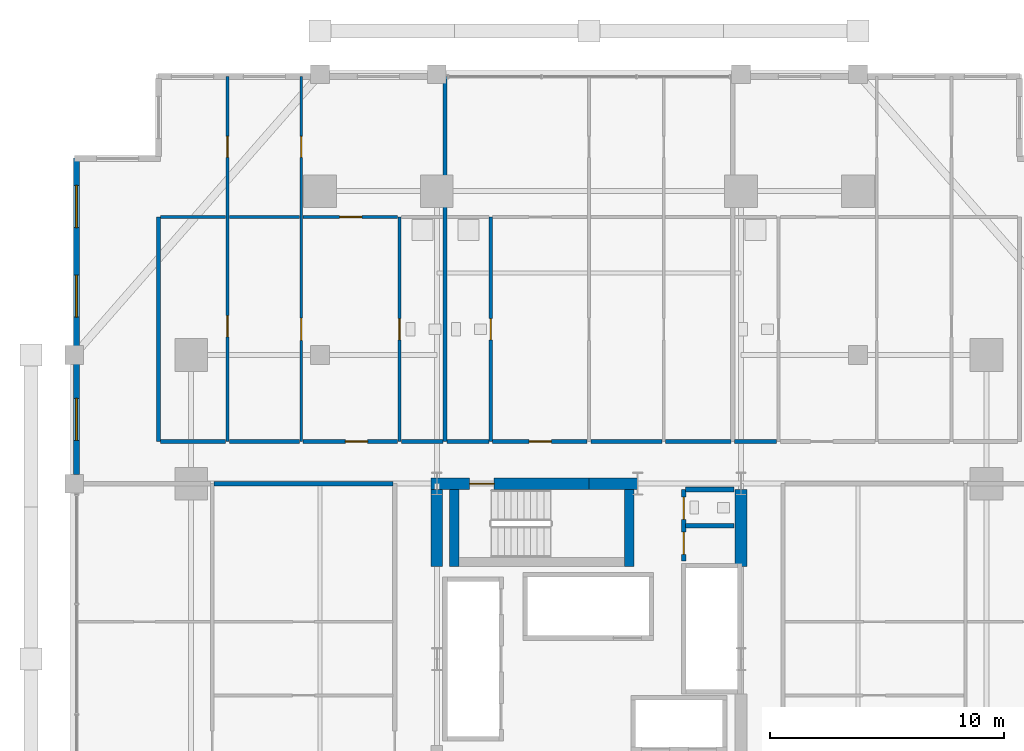
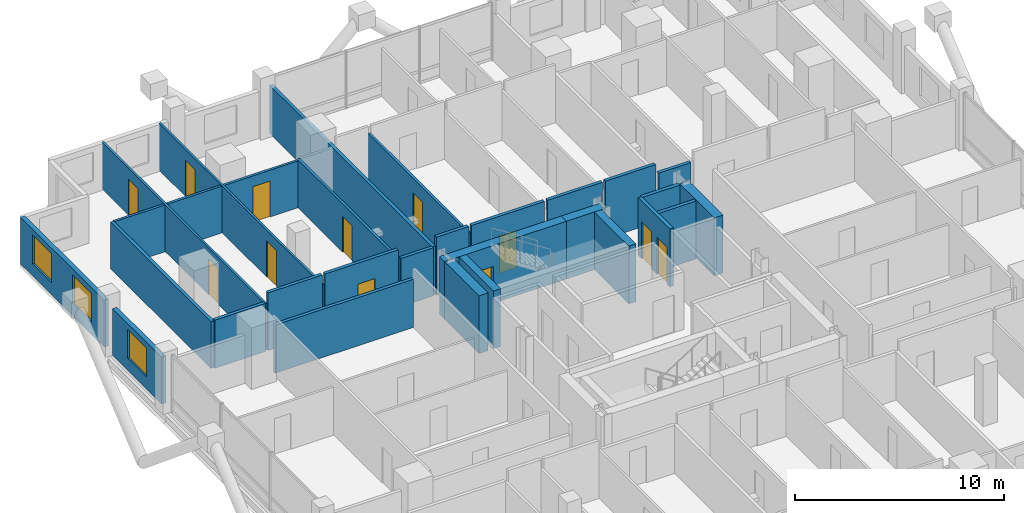
# One storey, part 20 of 24: 30 walls, 12 doors, 3 windows, 15 openings.
"""IFC4 building model written with IfcOpenShell, lengths in metres."""

import ifcopenshell
import ifcopenshell.guid

model = None  # the IFC model being written
_history = None  # IfcOwnerHistory: only IFC2X3 demands one
_inside = {}  # id of a spatial element -> (the spatial element, [elements in it])
_under = {}  # id of a project, library or spatial element -> (it, [spatial elements below it])
_declared = {}  # id of a project -> (the project, [libraries it declares])
_typed = {}  # id of a type object -> (the type object, [elements of that type])
_made_of = {}  # id of a material, layer set ... -> (it, [elements and type objects made of it])


def new_model(schema):
    """Start an empty IFC model of exactly this schema.

    Asked for "IFC4X3", IfcOpenShell would pick the latest addendum, in which some entities
    have other attributes; the version numbers below select the first issue.
    IFC2X3 requires an IfcOwnerHistory on every rooted entity: one is made here for all.
    """
    global model, _history
    if schema == "IFC4X3":
        model = ifcopenshell.file(schema_version=(4, 3, 0, 0))
    else:
        model = ifcopenshell.file(schema=schema)
    _inside.clear()
    _under.clear()
    _declared.clear()
    _typed.clear()
    _made_of.clear()
    _history = None
    if model.schema == "IFC2X3":
        org = make("IfcOrganization", Name="unknown")
        user = make(
            "IfcPersonAndOrganization",
            ThePerson=make("IfcPerson", FamilyName="unknown"),
            TheOrganization=org,
        )
        app = make(
            "IfcApplication",
            ApplicationDeveloper=org,
            Version="unknown",
            ApplicationFullName="unknown",
            ApplicationIdentifier="unknown",
        )
        _history = make(
            "IfcOwnerHistory",
            OwningUser=user,
            OwningApplication=app,
            ChangeAction="ADDED",
            CreationDate=0,
        )
    return model


def make(cls, **values):
    """One entity of the class cls with the attributes given. An attribute that is None is left unset."""
    return model.create_entity(
        cls, **{name: value for name, value in values.items() if value is not None}
    )


def rooted(cls, **values):
    """An entity with a GlobalId (a new one), such as an element, a storey or a relation."""
    return make(cls, GlobalId=ifcopenshell.guid.new(), OwnerHistory=_history, **values)


def si_unit(unit_type, name, prefix=None):
    """IfcSIUnit, for example si_unit("LENGTHUNIT", "METRE", prefix="MILLI")."""
    return make("IfcSIUnit", UnitType=unit_type, Prefix=prefix, Name=name)


def assignment(units):
    """IfcUnitAssignment: the units of a project."""
    return None if units is None else make("IfcUnitAssignment", Units=units)


def point(xyz):
    """IfcCartesianPoint."""
    return None if xyz is None else make("IfcCartesianPoint", Coordinates=xyz)


def direction(xyz):
    """IfcDirection."""
    return None if xyz is None else make("IfcDirection", DirectionRatios=xyz)


def frame(location, z_axis=None, x_axis=None):
    """IfcAxis2Placement3D, a coordinate frame: its origin and axes. An axis left out is left unset."""
    return make(
        "IfcAxis2Placement3D",
        Location=point(location),
        Axis=direction(z_axis),
        RefDirection=direction(x_axis),
    )


def frame_2d(location, x_axis=None):
    """IfcAxis2Placement2D, a coordinate frame in the plane: its origin and x axis."""
    return make(
        "IfcAxis2Placement2D", Location=point(location), RefDirection=direction(x_axis)
    )


def origin():
    """The frame at (0, 0, 0) with its axes left unset."""
    return frame((0.0, 0.0, 0.0))


def place(relative_to, where):
    """IfcLocalPlacement: puts the frame where relative to a parent placement (None: the world)."""
    return make(
        "IfcLocalPlacement", PlacementRelTo=relative_to, RelativePlacement=where
    )


def context(
    kind, dimensions, precision=None, world=None, true_north=None, identifier=None
):
    """IfcGeometricRepresentationContext, for example the 3D "Model" context."""
    return make(
        "IfcGeometricRepresentationContext",
        ContextIdentifier=identifier,
        ContextType=kind,
        CoordinateSpaceDimension=dimensions,
        Precision=precision,
        WorldCoordinateSystem=world,
        TrueNorth=true_north,
    )


def subcontext(parent, identifier, kind, view, scale=None):
    """IfcGeometricRepresentationSubContext, for example "Body" below "Model"."""
    return make(
        "IfcGeometricRepresentationSubContext",
        ContextIdentifier=identifier,
        ContextType=kind,
        ParentContext=parent,
        TargetScale=scale,
        TargetView=view,
    )


def project(units=None, contexts=None):
    """IfcProject with its units and contexts."""
    return rooted(
        "IfcProject",
        Name="project",
        RepresentationContexts=contexts,
        UnitsInContext=assignment(units),
    )


def spatial(cls, under=None, at=None, **own):
    """A site, building, storey or space (cls), placed at a placement, below another one or the project."""
    s = rooted(cls, ObjectPlacement=at, **own)
    if under is not None:
        _under.setdefault(under.id(), (under, []))[1].append(s)
    return s


def profile(cls, at=None, kind="AREA", **sizes):
    """A parametric profile (cls). Its sizes go by their IFC names, for example OverallWidth=200.0."""
    return make(cls, ProfileType=kind, Position=at, **sizes)


def rectangle(**sizes):
    """IfcRectangleProfileDef."""
    return profile("IfcRectangleProfileDef", **sizes)


def extrude(swept, where, along, depth):
    """IfcExtrudedAreaSolid: the profile swept, set in the frame where, extruded along a direction by depth."""
    return make(
        "IfcExtrudedAreaSolid",
        SweptArea=swept,
        Position=where,
        ExtrudedDirection=direction(along),
        Depth=depth,
    )


def shape(context_of_items, identifier, shape_type, items):
    """IfcShapeRepresentation: the items that make up one representation, for example the "Body"."""
    return make(
        "IfcShapeRepresentation",
        ContextOfItems=context_of_items,
        RepresentationIdentifier=identifier,
        RepresentationType=shape_type,
        Items=items,
    )


def material(Name=None, Category=None):
    """IfcMaterial."""
    return make("IfcMaterial", Name=Name, Category=Category)


def layer(
    of_material, thickness, ventilated=None, Name=None, Category=None, Priority=None
):
    """IfcMaterialLayer: one layer of a wall or slab, of a material (None: an air gap)."""
    return make(
        "IfcMaterialLayer",
        Material=of_material,
        LayerThickness=thickness,
        IsVentilated=ventilated,
        Name=Name,
        Category=Category,
        Priority=Priority,
    )


def layer_set(layers, Name=None):
    """IfcMaterialLayerSet."""
    return make("IfcMaterialLayerSet", MaterialLayers=layers, LayerSetName=Name)


def made_of(thing, what):
    """Note that an element or type object is made of a material, layer set ...; save() writes the relation."""
    if what is not None:
        _made_of.setdefault(what.id(), (what, []))[1].append(thing)
    return thing


def type_object(cls, material=None, **own):
    """A type object (cls), such as IfcWallType, which elements share."""
    return made_of(rooted(cls, **own), material)


def element(
    cls,
    number,
    at=None,
    inside=None,
    cuts=None,
    type_object=None,
    material=None,
    context=None,
    identifier="Body",
    shape_type=None,
    held_by="IfcProductDefinitionShape",
    body=None,
    shapes=None,
    **own,
):
    """One element of the class cls, such as IfcWall. Its Tag is "e" and its number.

    at: its placement. inside: the storey or other place that contains it. cuts: it is an
    opening in that element (IfcRelVoidsElement). A single representation is given by context,
    identifier, shape_type and body (its items); several are given by shapes. held_by: the class
    of the entity that holds the representations. save() writes the other relations.
    """
    e = rooted(cls, Tag="e%d" % number, ObjectPlacement=at, **own)
    if body is not None:
        shapes = [shape(context, identifier, shape_type, body)]
    if shapes is not None:
        e.Representation = make(held_by, Representations=shapes)
    if inside is not None:
        _inside.setdefault(inside.id(), (inside, []))[1].append(e)
    if cuts is not None:
        rooted(
            "IfcRelVoidsElement", RelatingBuildingElement=cuts, RelatedOpeningElement=e
        )
    if type_object is not None:
        _typed.setdefault(type_object.id(), (type_object, []))[1].append(e)
    return made_of(e, material)


def fill(opening, filler):
    """IfcRelFillsElement: the door or window that sits in an opening."""
    return rooted(
        "IfcRelFillsElement",
        RelatingOpeningElement=opening,
        RelatedBuildingElement=filler,
    )


def aggregate(whole, parts):
    """IfcRelAggregates: a whole, such as a stair, and the parts it consists of."""
    return rooted("IfcRelAggregates", RelatingObject=whole, RelatedObjects=parts)


def save(model, path):
    """Write the relations noted so far, then the file.

    IfcRelAggregates (storeys below a building ...), IfcRelContainedInSpatialStructure (elements
    in a storey), IfcRelDefinesByType, IfcRelAssociatesMaterial and IfcRelDeclares: one each for
    every whole, place, type object, material and project.
    """
    for whole, parts in _under.values():
        aggregate(whole, parts)
    for where, things in _inside.values():
        rooted(
            "IfcRelContainedInSpatialStructure",
            RelatedElements=things,
            RelatingStructure=where,
        )
    for kind, things in _typed.values():
        rooted("IfcRelDefinesByType", RelatedObjects=things, RelatingType=kind)
    for what, things in _made_of.values():
        rooted("IfcRelAssociatesMaterial", RelatedObjects=things, RelatingMaterial=what)
    for by, libraries in _declared.values():
        rooted("IfcRelDeclares", RelatingContext=by, RelatedDefinitions=libraries)
    model.write(path)


model = new_model("IFC4")

# Units and contexts
model_context = context("Model", 3, precision=1e-05, world=origin(), true_north=direction((0.0, 1.0)))
body_context = subcontext(model_context, "Body", "Model", "MODEL_VIEW")
ifc_project = project(units=[si_unit("LENGTHUNIT", "METRE"), si_unit("AREAUNIT", "SQUARE_METRE"), si_unit("VOLUMEUNIT", "CUBIC_METRE"), si_unit("PLANEANGLEUNIT", "RADIAN"), si_unit("MASSUNIT", "GRAM", prefix="KILO")], contexts=[model_context])

# Site, building, storey
site_placement = place(None, origin())
site = spatial("IfcSite", under=ifc_project, at=site_placement, CompositionType="ELEMENT")
building_placement = place(site_placement, origin())
building = spatial("IfcBuilding", under=site, at=building_placement, Name="Barlavira Tower and Art Museum", CompositionType="ELEMENT")
storey_placement = place(building_placement, frame((0.0, 0.0, 46.800048828125)))
storey = spatial("IfcBuildingStorey", under=building, at=storey_placement, Name="L10", CompositionType="ELEMENT", Elevation=46.800048828125)

# Wall, openings, doors
ifc_material_1 = material(Name="Gypsum acoustic stud partition", Category="gypsum")
ifc_layer_1 = layer(ifc_material_1, 0.1201171875, Name="Gypsum acoustic stud partition")
ifc_layer_set_1 = layer_set([ifc_layer_1], Name="Gypsum acoustic stud partition")
wall_type_1 = type_object("IfcWallType", Name="Apartment Internal Acoustic Partition 120", PredefinedType="PARTITIONING", material=ifc_layer_set_1)
wall_1_placement = place(storey_placement, frame((-15.449951171875, 9.300048828125, 0.0), z_axis=(0.0, 0.0, 1.0), x_axis=(0.0, 1.0, 0.0)))
wall_1 = element("IfcWall", 1, at=wall_1_placement, inside=storey, type_object=wall_type_1, Name="L10 Partition Wall 4", PredefinedType="PARTITIONING", context=body_context, shape_type="SweptSolid", body=[
    extrude(rectangle(XDim=15.599853515625, YDim=0.1201171875, at=frame_2d((7.7998046875, 0.0))), origin(), (0.0, 0.0, 1.0), 2.73583984375),
])
opening_1_placement = place(wall_1_placement, frame((4.478271484375, 0.0, 0.0)))
opening_1 = element("IfcOpeningElement", 2, at=opening_1_placement, cuts=wall_1, Name="Opening D-01", PredefinedType="OPENING", context=body_context, shape_type="SweptSolid", body=[
    extrude(rectangle(XDim=0.89990234375, YDim=2.10009765625, at=frame_2d((0.449951171875, 1.050048828125))), frame((0.0, 0.070068359375, 0.0), z_axis=(0.0, -1.0, 0.0), x_axis=(1.0, 0.0, 0.0)), (0.0, 0.0, 1.0), 0.14013671875),
])
opening_2_placement = place(wall_1_placement, frame((12.14990234375, 0.0, 0.0)))
opening_2 = element("IfcOpeningElement", 3, at=opening_2_placement, cuts=wall_1, Name="Opening D-01", PredefinedType="OPENING", context=body_context, shape_type="SweptSolid", body=[
    extrude(rectangle(XDim=0.89990234375, YDim=2.10009765625, at=frame_2d((0.449951171875, 1.050048828125))), frame((0.0, 0.070068359375, 0.0), z_axis=(0.0, -1.0, 0.0), x_axis=(1.0, 0.0, 0.0)), (0.0, 0.0, 1.0), 0.14013671875),
])
ifc_material_2 = material(Name="Engineered coastal hardwood", Category="wood")
door_type_1 = type_object("IfcDoorType", Name="Internal Bedroom Timber Flush Door 900x2100", OperationType="NOTDEFINED", PredefinedType="DOOR", material=ifc_material_2)
door_1_placement = place(opening_1_placement, origin())
door_1 = element("IfcDoor", 4, at=door_1_placement, inside=storey, type_object=door_type_1, Name="Apartment N1 Walk-In Dressing Room Door", OperationType="SINGLE_SWING_LEFT", OverallHeight=2.10009765625, OverallWidth=0.89990234375, PredefinedType="DOOR", context=body_context, shape_type="SweptSolid", body=[
    extrude(rectangle(XDim=0.89990234375, YDim=2.10009765625, at=frame_2d((0.449951171875, 1.050048828125))), frame((0.0, 0.02490234375, 0.0), z_axis=(0.0, -1.0, 0.0), x_axis=(1.0, 0.0, 0.0)), (0.0, 0.0, 1.0), 0.050048828125),
])
fill(opening_1, door_1)
door_2_placement = place(opening_2_placement, origin())
door_2 = element("IfcDoor", 5, at=door_2_placement, inside=storey, type_object=door_type_1, Name="Apartment N1 Sunroom Lounge 2 Door", OperationType="SINGLE_SWING_RIGHT", OverallHeight=2.10009765625, OverallWidth=0.89990234375, PredefinedType="DOOR", context=body_context, shape_type="SweptSolid", body=[
    extrude(rectangle(XDim=0.89990234375, YDim=2.10009765625, at=frame_2d((0.449951171875, 1.050048828125))), frame((0.0, 0.02490234375, 0.0), z_axis=(0.0, -1.0, 0.0), x_axis=(1.0, 0.0, 0.0)), (0.0, 0.0, 1.0), 0.050048828125),
])
fill(opening_2, door_2)

wall_2_placement = place(storey_placement, frame((-12.300048828125, 9.300048828125, 0.0), z_axis=(0.0, 0.0, 1.0), x_axis=(0.0, 1.0, 0.0)))
wall_2 = element("IfcWall", 6, at=wall_2_placement, inside=storey, type_object=wall_type_1, Name="L10 Partition Wall 6", PredefinedType="PARTITIONING", context=body_context, shape_type="SweptSolid", body=[
    extrude(rectangle(XDim=15.599853515625, YDim=0.1201171875, at=frame_2d((7.7998046875, 0.0))), origin(), (0.0, 0.0, 1.0), 2.73583984375),
])
opening_3_placement = place(wall_2_placement, frame((4.324951171875, 0.0, 0.0)))
opening_3 = element("IfcOpeningElement", 7, at=opening_3_placement, cuts=wall_2, Name="Opening D-02", PredefinedType="OPENING", context=body_context, shape_type="SweptSolid", body=[
    extrude(rectangle(XDim=0.949951171875, YDim=2.10009765625, at=frame_2d((0.47509765625, 1.050048828125))), frame((0.0, 0.070068359375, 0.0), z_axis=(0.0, -1.0, 0.0), x_axis=(1.0, 0.0, 0.0)), (0.0, 0.0, 1.0), 0.14013671875),
])
opening_4_placement = place(wall_2_placement, frame((12.14990234375, 0.0, 0.0)))
opening_4 = element("IfcOpeningElement", 8, at=opening_4_placement, cuts=wall_2, Name="Opening D-01", PredefinedType="OPENING", context=body_context, shape_type="SweptSolid", body=[
    extrude(rectangle(XDim=0.89990234375, YDim=2.10009765625, at=frame_2d((0.449951171875, 1.050048828125))), frame((0.0, 0.070068359375, 0.0), z_axis=(0.0, -1.0, 0.0), x_axis=(1.0, 0.0, 0.0)), (0.0, 0.0, 1.0), 0.14013671875),
])
door_3_placement = place(opening_4_placement, origin())
door_3 = element("IfcDoor", 9, at=door_3_placement, inside=storey, type_object=door_type_1, Name="Apartment N1 Bedroom 1 Door", OperationType="SINGLE_SWING_LEFT", OverallHeight=2.10009765625, OverallWidth=0.89990234375, PredefinedType="DOOR", context=body_context, shape_type="SweptSolid", body=[
    extrude(rectangle(XDim=0.89990234375, YDim=2.10009765625, at=frame_2d((0.449951171875, 1.050048828125))), frame((0.0, 0.02490234375, 0.0), z_axis=(0.0, -1.0, 0.0), x_axis=(1.0, 0.0, 0.0)), (0.0, 0.0, 1.0), 0.050048828125),
])
fill(opening_4, door_3)
door_type_2 = type_object("IfcDoorType", Name="Living and Salon Glazed-Leaf Door 950x2100", OperationType="NOTDEFINED", PredefinedType="DOOR", material=ifc_material_2)
door_4_placement = place(opening_3_placement, origin())
door_4 = element("IfcDoor", 10, at=door_4_placement, inside=storey, type_object=door_type_2, Name="Apartment N1 Kitchen Door", OperationType="SINGLE_SWING_RIGHT", OverallHeight=2.10009765625, OverallWidth=0.949951171875, PredefinedType="DOOR", context=body_context, shape_type="SweptSolid", body=[
    extrude(rectangle(XDim=0.949951171875, YDim=2.10009765625, at=frame_2d((0.47509765625, 1.050048828125))), frame((0.0, 0.02490234375, 0.0), z_axis=(0.0, -1.0, 0.0), x_axis=(1.0, 0.0, 0.0)), (0.0, 0.0, 1.0), 0.050048828125),
])
fill(opening_3, door_4)

# Wall, opening, door
ifc_material_3 = material(Name="Concrete C60", Category="concrete")
ifc_layer_2 = layer(ifc_material_3, 0.5, Name="Concrete C60")
ifc_layer_set_2 = layer_set([ifc_layer_2], Name="Concrete C60")
wall_type_2 = type_object("IfcWallType", Name="Core Structural Shear Wall 500 Concrete C60", PredefinedType="SHEAR", material=ifc_layer_set_2)
wall_3_placement = place(storey_placement, frame((-6.75, 7.5, 0.0), z_axis=(0.0, 0.0, 1.0), x_axis=(1.0, 0.0, 0.0)))
wall_3 = element("IfcWall", 11, at=wall_3_placement, inside=storey, type_object=wall_type_2, Name="L10 Core Shear Wall CS-NW", PredefinedType="SHEAR", context=body_context, shape_type="SweptSolid", body=[
    extrude(rectangle(XDim=6.75, YDim=0.5, at=frame_2d((3.375, 0.0))), origin(), (0.0, 0.0, 1.0), 3.3798828125),
])
opening_5_placement = place(wall_3_placement, frame((1.64990234375, 0.0, 0.0)))
opening_5 = element("IfcOpeningElement", 12, at=opening_5_placement, cuts=wall_3, Name="Opening FD-90", PredefinedType="OPENING", context=body_context, shape_type="SweptSolid", body=[
    extrude(rectangle(XDim=1.050048828125, YDim=2.14990234375, at=frame_2d((0.52490234375, 1.074951171875))), frame((0.0, 0.260009765625, 0.0), z_axis=(0.0, -1.0, 0.0), x_axis=(1.0, 0.0, 0.0)), (0.0, 0.0, 1.0), 0.52001953125),
])
ifc_material_4 = material(Name="Brushed stainless steel", Category="steel")
door_type_3 = type_object("IfcDoorType", Name="Stair and Refuge Fire Door 1050x2150 FD90S", OperationType="NOTDEFINED", PredefinedType="DOOR", material=ifc_material_4)
door_5_placement = place(opening_5_placement, origin())
door_5 = element("IfcDoor", 13, at=door_5_placement, inside=storey, type_object=door_type_3, Name="L10 Stair ST-T2 Fire Door", OperationType="SINGLE_SWING_LEFT", OverallHeight=2.14990234375, OverallWidth=1.050048828125, PredefinedType="DOOR", context=body_context, shape_type="SweptSolid", body=[
    extrude(rectangle(XDim=1.050048828125, YDim=2.14990234375, at=frame_2d((0.52490234375, 1.074951171875))), frame((0.0, 0.02490234375, 0.0), z_axis=(0.0, -1.0, 0.0), x_axis=(1.0, 0.0, 0.0)), (0.0, 0.0, 1.0), 0.050048828125),
])
fill(opening_5, door_5)

# Walls
wall_4_placement = place(storey_placement, frame((0.0, 7.5, 0.0), z_axis=(0.0, 0.0, 1.0), x_axis=(1.0, 0.0, 0.0)))
element("IfcWall", 14, at=wall_4_placement, inside=storey, type_object=wall_type_2, Name="L10 Core Shear Wall CS-EN", PredefinedType="SHEAR", context=body_context, shape_type="SweptSolid", body=[
    extrude(rectangle(XDim=2.080078125, YDim=0.5, at=frame_2d((1.0400390625, 0.0))), origin(), (0.0, 0.0, 1.0), 3.3798828125),
])
for number, where, z_axis, x_axis, name in (
    (15, (-6.5, 3.949951171875, 0.0), (0.0, 0.0, 1.0), (0.0, 1.0, 0.0), "L10 Core Shear Wall CS-W2"),
    (16, (6.5, 3.949951171875, 0.0), (0.0, 0.0, 1.0), (0.0, 1.0, 0.0), "L10 Core Shear Wall CS-E2"),
):
    element("IfcWall", number, at=place(storey_placement, frame(where, z_axis=z_axis, x_axis=x_axis)), inside=storey, type_object=wall_type_2, Name=name, PredefinedType="SHEAR", context=body_context, shape_type="SweptSolid", body=[
        extrude(rectangle(XDim=3.300048828125, YDim=0.5, at=frame_2d((1.64990234375, 0.0))), origin(), (0.0, 0.0, 1.0), 3.3798828125),
    ])

# Wall, openings, doors
ifc_material_5 = material(Name="Autoclaved aerated concrete masonry", Category="masonry")
ifc_layer_3 = layer(ifc_material_5, 0.199951171875, Name="Autoclaved aerated concrete masonry")
ifc_layer_set_3 = layer_set([ifc_layer_3], Name="Autoclaved aerated concrete masonry")
wall_type_3 = type_object("IfcWallType", Name="Fire Compartment and Shaft Wall 200", PredefinedType="SOLIDWALL", material=ifc_layer_set_3)
wall_5_placement = place(storey_placement, frame((4.050048828125, 4.199951171875, 0.0), z_axis=(0.0, 0.0, 1.0), x_axis=(0.0, 1.0, 0.0)))
wall_5 = element("IfcWall", 17, at=wall_5_placement, inside=storey, type_object=wall_type_3, Name="L10 Partition Wall 18", PredefinedType="SOLIDWALL", context=body_context, shape_type="SweptSolid", body=[
    extrude(rectangle(XDim=3.050048828125, YDim=0.199951171875, at=frame_2d((1.52490234375, 0.0))), origin(), (0.0, 0.0, 1.0), 3.3798828125),
])
opening_6_placement = place(wall_5_placement, frame((0.27490234375, 0.0, 0.0)))
opening_6 = element("IfcOpeningElement", 18, at=opening_6_placement, cuts=wall_5, Name="Opening FD-60", PredefinedType="OPENING", context=body_context, shape_type="SweptSolid", body=[
    extrude(rectangle(XDim=0.949951171875, YDim=2.14990234375, at=frame_2d((0.47509765625, 1.074951171875))), frame((0.0, 0.10986328125, 0.0), z_axis=(0.0, -1.0, 0.0), x_axis=(1.0, 0.0, 0.0)), (0.0, 0.0, 1.0), 0.219970703125),
])
opening_7_placement = place(wall_5_placement, frame((1.77490234375, 0.0, 0.0)))
opening_7 = element("IfcOpeningElement", 19, at=opening_7_placement, cuts=wall_5, Name="Opening FD-60", PredefinedType="OPENING", context=body_context, shape_type="SweptSolid", body=[
    extrude(rectangle(XDim=0.949951171875, YDim=2.14990234375, at=frame_2d((0.47509765625, 1.074951171875))), frame((0.0, 0.10986328125, 0.0), z_axis=(0.0, -1.0, 0.0), x_axis=(1.0, 0.0, 0.0)), (0.0, 0.0, 1.0), 0.219970703125),
])
door_type_4 = type_object("IfcDoorType", Name="Apartment Entrance and Riser Fire Door 950x2150 FD60S", OperationType="NOTDEFINED", PredefinedType="DOOR", material=ifc_material_4)
door_6_placement = place(opening_6_placement, origin())
door_6 = element("IfcDoor", 20, at=door_6_placement, inside=storey, type_object=door_type_4, Name="Electrical Switchgear Room Door", OperationType="SINGLE_SWING_RIGHT", OverallHeight=2.14990234375, OverallWidth=0.949951171875, PredefinedType="DOOR", context=body_context, shape_type="SweptSolid", body=[
    extrude(rectangle(XDim=0.949951171875, YDim=2.14990234375, at=frame_2d((0.47509765625, 1.074951171875))), frame((0.0, 0.02490234375, 0.0), z_axis=(0.0, -1.0, 0.0), x_axis=(1.0, 0.0, 0.0)), (0.0, 0.0, 1.0), 0.050048828125),
])
fill(opening_6, door_6)
door_7_placement = place(opening_7_placement, origin())
door_7 = element("IfcDoor", 21, at=door_7_placement, inside=storey, type_object=door_type_4, Name="Core Staff Toilet Door", OperationType="SINGLE_SWING_LEFT", OverallHeight=2.14990234375, OverallWidth=0.949951171875, PredefinedType="DOOR", context=body_context, shape_type="SweptSolid", body=[
    extrude(rectangle(XDim=0.949951171875, YDim=2.14990234375, at=frame_2d((0.47509765625, 1.074951171875))), frame((0.0, 0.02490234375, 0.0), z_axis=(0.0, -1.0, 0.0), x_axis=(1.0, 0.0, 0.0)), (0.0, 0.0, 1.0), 0.050048828125),
])
fill(opening_7, door_7)

# Walls
for number, where, z_axis, x_axis, name in (
    (22, (4.1298828125, 5.699951171875, 0.0), (0.0, 0.0, 1.0), (1.0, 0.0, 0.0), "L10 Partition Wall 67"),
    (23, (4.1298828125, 7.25, 0.0), (0.0, 0.0, 1.0), (1.0, 0.0, 0.0), "L10 Partition Wall 68"),
):
    element("IfcWall", number, at=place(storey_placement, frame(where, z_axis=z_axis, x_axis=x_axis)), inside=storey, type_object=wall_type_3, Name=name, PredefinedType="SOLIDWALL", context=body_context, shape_type="SweptSolid", body=[
        extrude(rectangle(XDim=2.070068359375, YDim=0.199951171875, at=frame_2d((1.03515625, 0.0))), origin(), (0.0, 0.0, 1.0), 3.3798828125),
    ])
ifc_layer_4 = layer(ifc_material_1, 0.179931640625, Name="Gypsum acoustic stud partition")
ifc_layer_set_4 = layer_set([ifc_layer_4], Name="Gypsum acoustic stud partition")
wall_type_4 = type_object("IfcWallType", Name="Inter-Tenancy Party Partition Wall 180", PredefinedType="PARTITIONING", material=ifc_layer_set_4)
wall_6_placement = place(storey_placement, frame((-18.39990234375, 9.300048828125, 0.0), z_axis=(0.0, 0.0, 1.0), x_axis=(0.0, 1.0, 0.0)))
element("IfcWall", 24, at=wall_6_placement, inside=storey, type_object=wall_type_4, Name="L10 Partition Wall 2", PredefinedType="PARTITIONING", context=body_context, shape_type="SweptSolid", body=[
    extrude(rectangle(XDim=9.599853515625, YDim=0.179931640625, at=frame_2d((4.7998046875, 0.0))), origin(), (0.0, 0.0, 1.0), 2.73583984375),
])
wall_7_placement = place(storey_placement, frame((-6.14990234375, 9.300048828125, 0.0), z_axis=(0.0, 0.0, 1.0), x_axis=(0.0, 1.0, 0.0)))
element("IfcWall", 25, at=wall_7_placement, inside=storey, type_object=wall_type_4, Name="L10 Partition Wall 11", PredefinedType="PARTITIONING", context=body_context, shape_type="SweptSolid", body=[
    extrude(rectangle(XDim=15.599853515625, YDim=0.179931640625, at=frame_2d((7.7998046875, 0.0))), origin(), (0.0, 0.0, 1.0), 2.81591796875),
])
wall_8_placement = place(storey_placement, frame((-16.02001953125, 7.5, 0.0), z_axis=(0.0, 0.0, 1.0), x_axis=(1.0, 0.0, 0.0)))
element("IfcWall", 26, at=wall_8_placement, inside=storey, type_object=wall_type_4, Name="L10 Partition Wall 70", PredefinedType="PARTITIONING", context=body_context, shape_type="SweptSolid", body=[
    extrude(rectangle(XDim=7.64013671875, YDim=0.179931640625, at=frame_2d((3.820068359375, 0.0))), origin(), (0.0, 0.0, 1.0), 2.81591796875),
])
wall_9_placement = place(storey_placement, frame((-18.320068359375, 9.300048828125, 0.0), z_axis=(0.0, 0.0, 1.0), x_axis=(1.0, 0.0, 0.0)))
element("IfcWall", 27, at=wall_9_placement, inside=storey, type_object=wall_type_4, Name="L10 Partition Wall 73", PredefinedType="PARTITIONING", context=body_context, shape_type="SweptSolid", body=[
    extrude(rectangle(XDim=2.7900390625, YDim=0.179931640625, at=frame_2d((1.39501953125, 0.0))), origin(), (0.0, 0.0, 1.0), 2.81591796875),
])
wall_10_placement = place(storey_placement, frame((-15.3701171875, 9.300048828125, 0.0), z_axis=(0.0, 0.0, 1.0), x_axis=(1.0, 0.0, 0.0)))
element("IfcWall", 28, at=wall_10_placement, inside=storey, type_object=wall_type_4, Name="L10 Partition Wall 74", PredefinedType="PARTITIONING", context=body_context, shape_type="SweptSolid", body=[
    extrude(rectangle(XDim=2.990234375, YDim=0.179931640625, at=frame_2d((1.4951171875, 0.0))), origin(), (0.0, 0.0, 1.0), 3.3798828125),
])

# Wall, opening, door
wall_11_placement = place(storey_placement, frame((-12.219970703125, 9.300048828125, 0.0), z_axis=(0.0, 0.0, 1.0), x_axis=(1.0, 0.0, 0.0)))
wall_11 = element("IfcWall", 29, at=wall_11_placement, inside=storey, type_object=wall_type_4, Name="L10 Partition Wall 75", PredefinedType="PARTITIONING", context=body_context, shape_type="SweptSolid", body=[
    extrude(rectangle(XDim=4.0400390625, YDim=0.179931640625, at=frame_2d((2.02001953125, 0.0))), origin(), (0.0, 0.0, 1.0), 3.3798828125),
])
opening_8_placement = place(wall_11_placement, frame((1.804931640625, 0.0, 0.0)))
opening_8 = element("IfcOpeningElement", 30, at=opening_8_placement, cuts=wall_11, Name="Opening FD-60", PredefinedType="OPENING", context=body_context, shape_type="SweptSolid", body=[
    extrude(rectangle(XDim=0.949951171875, YDim=2.14990234375, at=frame_2d((0.47509765625, 1.074951171875))), frame((0.0, 0.10009765625, 0.0), z_axis=(0.0, -1.0, 0.0), x_axis=(1.0, 0.0, 0.0)), (0.0, 0.0, 1.0), 0.199951171875),
])
door_8_placement = place(opening_8_placement, origin())
door_8 = element("IfcDoor", 31, at=door_8_placement, inside=storey, type_object=door_type_4, Name="Apartment Entrance Hall N1 Door", OperationType="SINGLE_SWING_LEFT", OverallHeight=2.14990234375, OverallWidth=0.949951171875, PredefinedType="DOOR", context=body_context, shape_type="SweptSolid", body=[
    extrude(rectangle(XDim=0.949951171875, YDim=2.14990234375, at=frame_2d((0.47509765625, 1.074951171875))), frame((0.0, 0.02490234375, 0.0), z_axis=(0.0, -1.0, 0.0), x_axis=(1.0, 0.0, 0.0)), (0.0, 0.0, 1.0), 0.050048828125),
])
fill(opening_8, door_8)

# Walls
wall_12_placement = place(storey_placement, frame((-8.02001953125, 9.300048828125, 0.0), z_axis=(0.0, 0.0, 1.0), x_axis=(1.0, 0.0, 0.0)))
element("IfcWall", 32, at=wall_12_placement, inside=storey, type_object=wall_type_4, Name="L10 Partition Wall 76", PredefinedType="PARTITIONING", context=body_context, shape_type="SweptSolid", body=[
    extrude(rectangle(XDim=1.7900390625, YDim=0.179931640625, at=frame_2d((0.89501953125, 0.0))), origin(), (0.0, 0.0, 1.0), 2.81591796875),
])
wall_13_placement = place(storey_placement, frame((-6.070068359375, 9.300048828125, 0.0), z_axis=(0.0, 0.0, 1.0), x_axis=(1.0, 0.0, 0.0)))
element("IfcWall", 33, at=wall_13_placement, inside=storey, type_object=wall_type_4, Name="L10 Partition Wall 77", PredefinedType="PARTITIONING", context=body_context, shape_type="SweptSolid", body=[
    extrude(rectangle(XDim=1.7900390625, YDim=0.179931640625, at=frame_2d((0.89501953125, 0.0))), origin(), (0.0, 0.0, 1.0), 3.3798828125),
])

# Wall, opening, door
wall_14_placement = place(storey_placement, frame((-4.1201171875, 9.300048828125, 0.0), z_axis=(0.0, 0.0, 1.0), x_axis=(1.0, 0.0, 0.0)))
wall_14 = element("IfcWall", 34, at=wall_14_placement, inside=storey, type_object=wall_type_4, Name="L10 Partition Wall 78", PredefinedType="PARTITIONING", context=body_context, shape_type="SweptSolid", body=[
    extrude(rectangle(XDim=4.0400390625, YDim=0.179931640625, at=frame_2d((2.02001953125, 0.0))), origin(), (0.0, 0.0, 1.0), 3.3798828125),
])
opening_9_placement = place(wall_14_placement, frame((1.56494140625, 0.0, 0.0)))
opening_9 = element("IfcOpeningElement", 35, at=opening_9_placement, cuts=wall_14, Name="Opening FD-60", PredefinedType="OPENING", context=body_context, shape_type="SweptSolid", body=[
    extrude(rectangle(XDim=0.949951171875, YDim=2.14990234375, at=frame_2d((0.47509765625, 1.074951171875))), frame((0.0, 0.10009765625, 0.0), z_axis=(0.0, -1.0, 0.0), x_axis=(1.0, 0.0, 0.0)), (0.0, 0.0, 1.0), 0.199951171875),
])
door_9_placement = place(opening_9_placement, origin())
door_9 = element("IfcDoor", 36, at=door_9_placement, inside=storey, type_object=door_type_4, Name="Apartment Entrance Hall N2 Door", OperationType="SINGLE_SWING_RIGHT", OverallHeight=2.14990234375, OverallWidth=0.949951171875, PredefinedType="DOOR", context=body_context, shape_type="SweptSolid", body=[
    extrude(rectangle(XDim=0.949951171875, YDim=2.14990234375, at=frame_2d((0.47509765625, 1.074951171875))), frame((0.0, 0.02490234375, 0.0), z_axis=(0.0, -1.0, 0.0), x_axis=(1.0, 0.0, 0.0)), (0.0, 0.0, 1.0), 0.050048828125),
])
fill(opening_9, door_9)

# Walls
wall_15_placement = place(storey_placement, frame((0.080078125, 9.300048828125, 0.0), z_axis=(0.0, 0.0, 1.0), x_axis=(1.0, 0.0, 0.0)))
element("IfcWall", 37, at=wall_15_placement, inside=storey, type_object=wall_type_4, Name="L10 Partition Wall 79", PredefinedType="PARTITIONING", context=body_context, shape_type="SweptSolid", body=[
    extrude(rectangle(XDim=3.0400390625, YDim=0.179931640625, at=frame_2d((1.52001953125, 0.0))), origin(), (0.0, 0.0, 1.0), 3.3798828125),
])
wall_16_placement = place(storey_placement, frame((3.280029296875, 9.300048828125, 0.0), z_axis=(0.0, 0.0, 1.0), x_axis=(1.0, 0.0, 0.0)))
element("IfcWall", 38, at=wall_16_placement, inside=storey, type_object=wall_type_4, Name="L10 Partition Wall 80", PredefinedType="PARTITIONING", context=body_context, shape_type="SweptSolid", body=[
    extrude(rectangle(XDim=2.7900390625, YDim=0.179931640625, at=frame_2d((1.39501953125, 0.0))), origin(), (0.0, 0.0, 1.0), 3.3798828125),
])
wall_17_placement = place(storey_placement, frame((6.22998046875, 9.300048828125, 0.0), z_axis=(0.0, 0.0, 1.0), x_axis=(1.0, 0.0, 0.0)))
element("IfcWall", 39, at=wall_17_placement, inside=storey, type_object=wall_type_4, Name="L10 Partition Wall 81", PredefinedType="PARTITIONING", context=body_context, shape_type="SweptSolid", body=[
    extrude(rectangle(XDim=1.7900390625, YDim=0.179931640625, at=frame_2d((0.89501953125, 0.0))), origin(), (0.0, 0.0, 1.0), 2.81591796875),
])

# Wall, opening, door
ifc_layer_5 = layer(ifc_material_1, 0.139892578125, Name="Gypsum acoustic stud partition")
ifc_layer_set_5 = layer_set([ifc_layer_5], Name="Gypsum acoustic stud partition")
wall_type_5 = type_object("IfcWallType", Name="Moisture-Resistant Bathroom Partition 140", PredefinedType="PARTITIONING", material=ifc_layer_set_5)
wall_18_placement = place(storey_placement, frame((-8.10009765625, 9.300048828125, 0.0), z_axis=(0.0, 0.0, 1.0), x_axis=(0.0, 1.0, 0.0)))
wall_18 = element("IfcWall", 40, at=wall_18_placement, inside=storey, type_object=wall_type_5, Name="L10 Partition Wall 9", PredefinedType="PARTITIONING", context=body_context, shape_type="SweptSolid", body=[
    extrude(rectangle(XDim=9.599853515625, YDim=0.139892578125, at=frame_2d((4.7998046875, 0.0))), origin(), (0.0, 0.0, 1.0), 2.81591796875),
])
opening_10_placement = place(wall_18_placement, frame((4.35009765625, 0.0, 0.0)))
opening_10 = element("IfcOpeningElement", 41, at=opening_10_placement, cuts=wall_18, Name="Opening D-WC", PredefinedType="OPENING", context=body_context, shape_type="SweptSolid", body=[
    extrude(rectangle(XDim=0.89990234375, YDim=2.10009765625, at=frame_2d((0.449951171875, 1.050048828125))), frame((0.0, 0.080078125, 0.0), z_axis=(0.0, -1.0, 0.0), x_axis=(1.0, 0.0, 0.0)), (0.0, 0.0, 1.0), 0.159912109375),
])
door_type_5 = type_object("IfcDoorType", Name="Accessible Bathroom Flush Door 900x2100", OperationType="NOTDEFINED", PredefinedType="DOOR", material=ifc_material_2)
door_10_placement = place(opening_10_placement, origin())
door_10 = element("IfcDoor", 42, at=door_10_placement, inside=storey, type_object=door_type_5, Name="Apartment N1 Hall Bathroom Door", OperationType="SINGLE_SWING_RIGHT", OverallHeight=2.10009765625, OverallWidth=0.89990234375, PredefinedType="DOOR", context=body_context, shape_type="SweptSolid", body=[
    extrude(rectangle(XDim=0.89990234375, YDim=2.10009765625, at=frame_2d((0.449951171875, 1.050048828125))), frame((0.0, 0.02490234375, 0.0), z_axis=(0.0, -1.0, 0.0), x_axis=(1.0, 0.0, 0.0)), (0.0, 0.0, 1.0), 0.050048828125),
])
fill(opening_10, door_10)

wall_19_placement = place(storey_placement, frame((-4.199951171875, 9.300048828125, 0.0), z_axis=(0.0, 0.0, 1.0), x_axis=(0.0, 1.0, 0.0)))
wall_19 = element("IfcWall", 43, at=wall_19_placement, inside=storey, type_object=wall_type_5, Name="L10 Partition Wall 12", PredefinedType="PARTITIONING", context=body_context, shape_type="SweptSolid", body=[
    extrude(rectangle(XDim=9.599853515625, YDim=0.139892578125, at=frame_2d((4.7998046875, 0.0))), origin(), (0.0, 0.0, 1.0), 2.947998046875),
])
opening_11_placement = place(wall_19_placement, frame((4.35009765625, 0.0, 0.0)))
opening_11 = element("IfcOpeningElement", 44, at=opening_11_placement, cuts=wall_19, Name="Opening D-WC", PredefinedType="OPENING", context=body_context, shape_type="SweptSolid", body=[
    extrude(rectangle(XDim=0.89990234375, YDim=2.10009765625, at=frame_2d((0.449951171875, 1.050048828125))), frame((0.0, 0.080078125, 0.0), z_axis=(0.0, -1.0, 0.0), x_axis=(1.0, 0.0, 0.0)), (0.0, 0.0, 1.0), 0.159912109375),
])
door_11_placement = place(opening_11_placement, origin())
door_11 = element("IfcDoor", 45, at=door_11_placement, inside=storey, type_object=door_type_5, Name="Apartment N2 Hall Bathroom Door", OperationType="SINGLE_SWING_LEFT", OverallHeight=2.10009765625, OverallWidth=0.89990234375, PredefinedType="DOOR", context=body_context, shape_type="SweptSolid", body=[
    extrude(rectangle(XDim=0.89990234375, YDim=2.10009765625, at=frame_2d((0.449951171875, 1.050048828125))), frame((0.0, 0.02490234375, 0.0), z_axis=(0.0, -1.0, 0.0), x_axis=(1.0, 0.0, 0.0)), (0.0, 0.0, 1.0), 0.050048828125),
])
fill(opening_11, door_11)

# Walls
wall_20_placement = place(storey_placement, frame((-18.320068359375, 18.89990234375, 0.0), z_axis=(0.0, 0.0, 1.0), x_axis=(1.0, 0.0, 0.0)))
element("IfcWall", 46, at=wall_20_placement, inside=storey, type_object=wall_type_5, Name="L10 Partition Wall 85", PredefinedType="PARTITIONING", context=body_context, shape_type="SweptSolid", body=[
    extrude(rectangle(XDim=2.7900390625, YDim=0.139892578125, at=frame_2d((1.39501953125, 0.0))), origin(), (0.0, 0.0, 1.0), 2.73583984375),
])
wall_21_placement = place(storey_placement, frame((-15.3701171875, 18.89990234375, 0.0), z_axis=(0.0, 0.0, 1.0), x_axis=(1.0, 0.0, 0.0)))
element("IfcWall", 47, at=wall_21_placement, inside=storey, type_object=wall_type_5, Name="L10 Partition Wall 86", PredefinedType="PARTITIONING", context=body_context, shape_type="SweptSolid", body=[
    extrude(rectangle(XDim=2.990234375, YDim=0.139892578125, at=frame_2d((1.4951171875, 0.0))), origin(), (0.0, 0.0, 1.0), 2.73583984375),
])

# Wall, opening, door
wall_22_placement = place(storey_placement, frame((-12.219970703125, 18.89990234375, 0.0), z_axis=(0.0, 0.0, 1.0), x_axis=(1.0, 0.0, 0.0)))
wall_22 = element("IfcWall", 48, at=wall_22_placement, inside=storey, type_object=wall_type_5, Name="L10 Partition Wall 87", PredefinedType="PARTITIONING", context=body_context, shape_type="SweptSolid", body=[
    extrude(rectangle(XDim=4.0400390625, YDim=0.139892578125, at=frame_2d((2.02001953125, 0.0))), origin(), (0.0, 0.0, 1.0), 2.73583984375),
])
opening_12_placement = place(wall_22_placement, frame((1.56494140625, 0.0, 0.0)))
opening_12 = element("IfcOpeningElement", 49, at=opening_12_placement, cuts=wall_22, Name="Opening D-02", PredefinedType="OPENING", context=body_context, shape_type="SweptSolid", body=[
    extrude(rectangle(XDim=0.949951171875, YDim=2.10009765625, at=frame_2d((0.47509765625, 1.050048828125))), frame((0.0, 0.080078125, 0.0), z_axis=(0.0, -1.0, 0.0), x_axis=(1.0, 0.0, 0.0)), (0.0, 0.0, 1.0), 0.159912109375),
])
door_12_placement = place(opening_12_placement, origin())
door_12 = element("IfcDoor", 50, at=door_12_placement, inside=storey, type_object=door_type_2, Name="Apartment N1 Living Lounge Door", OperationType="SINGLE_SWING_RIGHT", OverallHeight=2.10009765625, OverallWidth=0.949951171875, PredefinedType="DOOR", context=body_context, shape_type="SweptSolid", body=[
    extrude(rectangle(XDim=0.949951171875, YDim=2.10009765625, at=frame_2d((0.47509765625, 1.050048828125))), frame((0.0, 0.02490234375, 0.0), z_axis=(0.0, -1.0, 0.0), x_axis=(1.0, 0.0, 0.0)), (0.0, 0.0, 1.0), 0.050048828125),
])
fill(opening_12, door_12)

# Wall, openings, windows
ifc_material_6 = material(Name="Precast concrete C40", Category="concrete")
ifc_layer_6 = layer(ifc_material_6, 0.25, Name="Precast concrete C40")
ifc_layer_set_6 = layer_set([ifc_layer_6], Name="Precast concrete C40")
wall_type_6 = type_object("IfcWallType", Name="Notched Corner Spandrel Wall 250 Precast Concrete C40", PredefinedType="SOLIDWALL", material=ifc_layer_set_6)
wall_23_placement = place(storey_placement, frame((-21.89990234375, 21.425048828125, 0.0), z_axis=(0.0, 0.0, 1.0), x_axis=(0.0, -1.0, 0.0)))
wall_23 = element("IfcWall", 51, at=wall_23_placement, inside=storey, type_object=wall_type_6, Name="L10 Coastal Facade Pier Wall CW1-L10-W-1", PredefinedType="SOLIDWALL", context=body_context, shape_type="SweptSolid", body=[
    extrude(rectangle(XDim=8.030029296875, YDim=0.25, at=frame_2d((4.01513671875, 0.0))), origin(), (0.0, 0.0, 1.0), 2.73583984375),
])
opening_13_placement = place(wall_23_placement, frame((1.176025390625, 0.0, 0.719970703125)))
opening_13 = element("IfcOpeningElement", 52, at=opening_13_placement, cuts=wall_23, Name="Opening WN-01", PredefinedType="OPENING", context=body_context, shape_type="SweptSolid", body=[
    extrude(rectangle(XDim=1.800048828125, YDim=1.679931640625, at=frame_2d((0.89990234375, 0.83984375))), frame((0.0, 0.135009765625, 0.0), z_axis=(0.0, -1.0, 0.0), x_axis=(1.0, 0.0, 0.0)), (0.0, 0.0, 1.0), 0.27001953125),
])
opening_14_placement = place(wall_23_placement, frame((5.009033203125, 0.0, 0.719970703125)))
opening_14 = element("IfcOpeningElement", 53, at=opening_14_placement, cuts=wall_23, Name="Opening WN-01", PredefinedType="OPENING", context=body_context, shape_type="SweptSolid", body=[
    extrude(rectangle(XDim=1.800048828125, YDim=1.679931640625, at=frame_2d((0.89990234375, 0.83984375))), frame((0.0, 0.135009765625, 0.0), z_axis=(0.0, -1.0, 0.0), x_axis=(1.0, 0.0, 0.0)), (0.0, 0.0, 1.0), 0.27001953125),
])
ifc_material_7 = material(Name="Low-iron coastal laminated glass", Category="glass")
window_type = type_object("IfcWindowType", Name="Recessed Notch Corner Punch Window 1800x1680", PartitioningType="SINGLE_PANEL", PredefinedType="WINDOW", material=ifc_material_7)
window_1_placement = place(opening_13_placement, origin())
window_1 = element("IfcWindow", 54, at=window_1_placement, inside=storey, type_object=window_type, Name="L10 Punched Facade Window EWP-CW1-L10-W-1-1", OverallHeight=1.679931640625, OverallWidth=1.800048828125, PartitioningType="SINGLE_PANEL", PredefinedType="WINDOW", context=body_context, shape_type="SweptSolid", body=[
    extrude(rectangle(XDim=1.800048828125, YDim=1.679931640625, at=frame_2d((0.89990234375, 0.83984375))), frame((0.0, 0.030029296875, 0.0), z_axis=(0.0, -1.0, 0.0), x_axis=(1.0, 0.0, 0.0)), (0.0, 0.0, 1.0), 0.06005859375),
])
fill(opening_13, window_1)
window_2_placement = place(opening_14_placement, origin())
window_2 = element("IfcWindow", 55, at=window_2_placement, inside=storey, type_object=window_type, Name="L10 Punched Facade Window EWP-CW1-L10-W-1-2", OverallHeight=1.679931640625, OverallWidth=1.800048828125, PartitioningType="SINGLE_PANEL", PredefinedType="WINDOW", context=body_context, shape_type="SweptSolid", body=[
    extrude(rectangle(XDim=1.800048828125, YDim=1.679931640625, at=frame_2d((0.89990234375, 0.83984375))), frame((0.0, 0.030029296875, 0.0), z_axis=(0.0, -1.0, 0.0), x_axis=(1.0, 0.0, 0.0)), (0.0, 0.0, 1.0), 0.06005859375),
])
fill(opening_14, window_2)

# Wall, opening, window
wall_24_placement = place(storey_placement, frame((-21.89990234375, 12.60498046875, 0.0), z_axis=(0.0, 0.0, 1.0), x_axis=(0.0, -1.0, 0.0)))
wall_24 = element("IfcWall", 56, at=wall_24_placement, inside=storey, type_object=wall_type_6, Name="L10 Coastal Facade Pier Wall CW1-L10-W-2", PredefinedType="SOLIDWALL", context=body_context, shape_type="SweptSolid", body=[
    extrude(rectangle(XDim=4.7099609375, YDim=0.25, at=frame_2d((2.35498046875, 0.0))), origin(), (0.0, 0.0, 1.0), 2.73583984375),
])
opening_15_placement = place(wall_24_placement, frame((1.455078125, 0.0, 0.719970703125)))
opening_15 = element("IfcOpeningElement", 57, at=opening_15_placement, cuts=wall_24, Name="Opening WN-01", PredefinedType="OPENING", context=body_context, shape_type="SweptSolid", body=[
    extrude(rectangle(XDim=1.800048828125, YDim=1.679931640625, at=frame_2d((0.89990234375, 0.83984375))), frame((0.0, 0.135009765625, 0.0), z_axis=(0.0, -1.0, 0.0), x_axis=(1.0, 0.0, 0.0)), (0.0, 0.0, 1.0), 0.27001953125),
])
window_3_placement = place(opening_15_placement, origin())
window_3 = element("IfcWindow", 58, at=window_3_placement, inside=storey, type_object=window_type, Name="L10 Punched Facade Window EWP-CW1-L10-W-2-1", OverallHeight=1.679931640625, OverallWidth=1.800048828125, PartitioningType="SINGLE_PANEL", PredefinedType="WINDOW", context=body_context, shape_type="SweptSolid", body=[
    extrude(rectangle(XDim=1.800048828125, YDim=1.679931640625, at=frame_2d((0.89990234375, 0.83984375))), frame((0.0, 0.030029296875, 0.0), z_axis=(0.0, -1.0, 0.0), x_axis=(1.0, 0.0, 0.0)), (0.0, 0.0, 1.0), 0.06005859375),
])
fill(opening_15, window_3)

# Walls
ifc_material_8 = material(Name="Concrete C55", Category="concrete")
ifc_layer_7 = layer(ifc_material_8, 0.39990234375, Name="Concrete C55")
ifc_layer_set_7 = layer_set([ifc_layer_7], Name="Concrete C55")
wall_type_7 = type_object("IfcWallType", Name="Upper Core Shear Wall 400 Concrete C55", PredefinedType="SHEAR", material=ifc_layer_set_7)
for number, where, z_axis, x_axis, name in (
    (59, (1.72998046875, 3.949951171875, 0.0), (0.0, 0.0, 1.0), (0.0, 1.0, 0.0), "L10 ST-T2 East Half-Landing Wall"),
    (60, (-5.75, 3.949951171875, 0.0), (0.0, 0.0, 1.0), (0.0, 1.0, 0.0), "L10 ST-T2 West Shaft Wall"),
):
    element("IfcWall", number, at=place(storey_placement, frame(where, z_axis=z_axis, x_axis=x_axis)), inside=storey, type_object=wall_type_7, Name=name, PredefinedType="SHEAR", context=body_context, shape_type="SweptSolid", body=[
        extrude(rectangle(XDim=3.300048828125, YDim=0.39990234375, at=frame_2d((1.64990234375, 0.0))), origin(), (0.0, 0.0, 1.0), 3.3798828125),
    ])

save(model, "model.ifc")
